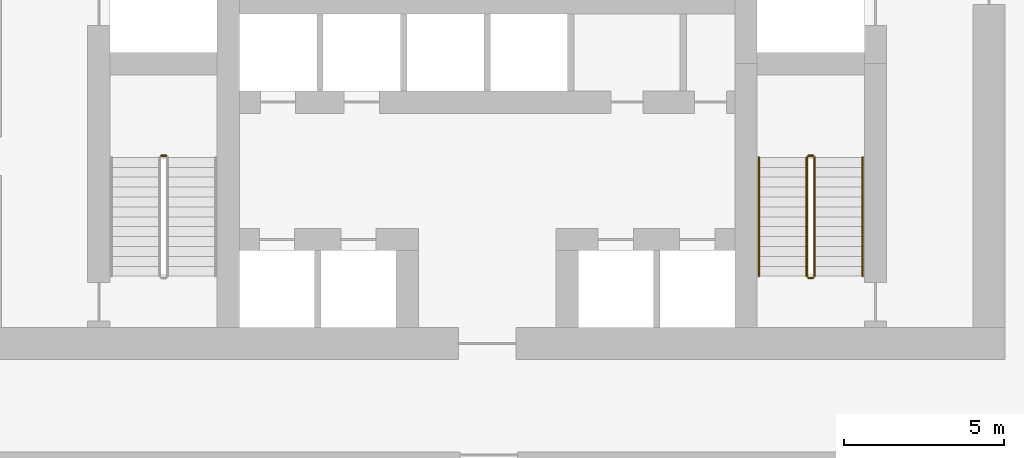
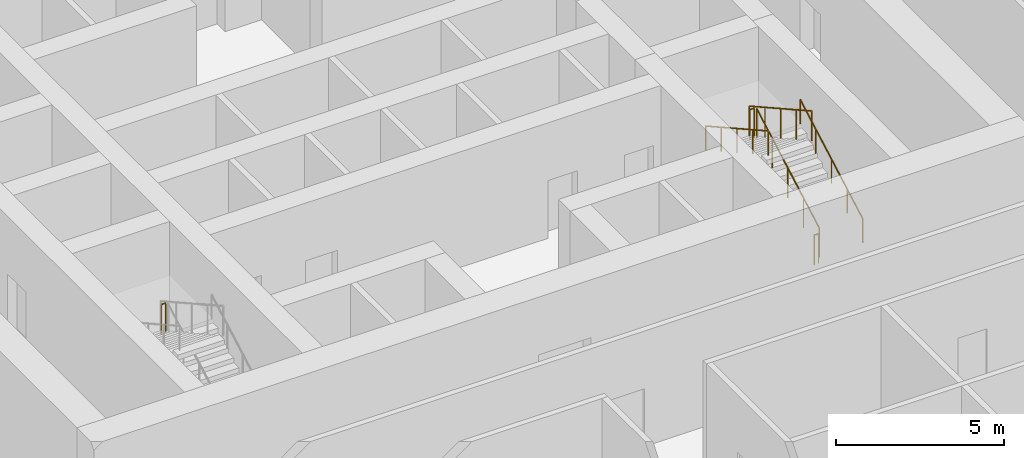
# One storey, part 39 of 43: 7 railings.
"""IFC4 building model written with IfcOpenShell, lengths in metres."""

from ifc_helpers import new_model, si_unit, direction, frame, origin, origin_2d, place, context, subcontext, project, spatial, circle, extrude, material, type_object, element, save


model = new_model("IFC4")

# Units and contexts
model_context = context("Model", 3, precision=1e-05, world=origin(), true_north=direction((0.0, 1.0)))
body_context = subcontext(model_context, "Body", "Model", "MODEL_VIEW")
ifc_project = project(units=[si_unit("LENGTHUNIT", "METRE"), si_unit("AREAUNIT", "SQUARE_METRE"), si_unit("VOLUMEUNIT", "CUBIC_METRE"), si_unit("PLANEANGLEUNIT", "RADIAN"), si_unit("MASSUNIT", "GRAM", prefix="KILO")], contexts=[model_context])

# Site, building, storey
site_placement = place(None, origin())
site = spatial("IfcSite", under=ifc_project, at=site_placement, CompositionType="ELEMENT")
building_placement = place(site_placement, origin())
building = spatial("IfcBuilding", under=site, at=building_placement, Name="Madar Terraces", CompositionType="ELEMENT")
storey_placement = place(building_placement, frame((0.0, 0.0, 10.5)))
storey = spatial("IfcBuildingStorey", under=building, at=storey_placement, Name="L02", CompositionType="ELEMENT", Elevation=10.5)

# Railings
ifc_material_1 = material(Name="Stainless steel railing", Category="steel")
railing_type_1 = type_object("IfcRailingType", Name="Stair guard 1100", PredefinedType="GUARDRAIL", material=ifc_material_1)
railing_1_placement = place(storey_placement, frame((21.14990234375, 21.3701171875, 2.25)))
element("IfcRailing", 1, at=railing_1_placement, inside=storey, type_object=railing_type_1, Name="L02 ST1 stair guard 2", PredefinedType="GUARDRAIL", context=body_context, shape_type="SweptSolid", body=[
    extrude(circle(Radius=0.02392578125, at=origin_2d()), frame((0.0, 0.0, 1.076171875), z_axis=(-1.0, 0.0, 0.0), x_axis=(0.0, -1.0, 0.0)), (0.0, 0.0, 1.0), 0.14990234375),
    extrude(circle(Radius=0.02099609375, at=origin_2d()), origin(), (0.0, 0.0, 1.0), 1.052001953125),
    extrude(circle(Radius=0.02099609375, at=origin_2d()), frame((-0.14990234375, 0.0, 0.0)), (0.0, 0.0, 1.0), 1.052001953125),
])
railing_2_placement = place(storey_placement, frame((41.449951171875, 17.60009765625, 0.173095703125)))
element("IfcRailing", 2, at=railing_2_placement, inside=storey, type_object=railing_type_1, Name="L02 ST3 stair guard 1", PredefinedType="GUARDRAIL", context=body_context, shape_type="SweptSolid", body=[
    extrude(circle(Radius=0.02392578125, at=origin_2d()), frame((0.0, 0.0, 1.076171875), z_axis=(0.0, 0.873133609054, 0.487480974747), x_axis=(-1.0, 0.0, 0.0)), (0.0, 0.0, 1.0), 4.260498046875),
    extrude(circle(Radius=0.02099609375, at=origin_2d()), origin(), (0.0, 0.0, 1.0), 1.052001953125),
    extrude(circle(Radius=0.02099609375, at=origin_2d()), frame((0.0, 0.929931640625, 0.519287109375)), (0.0, 0.0, 1.0), 1.052001953125),
    extrude(circle(Radius=0.02099609375, at=origin_2d()), frame((0.0, 1.85986328125, 1.03857421875)), (0.0, 0.0, 1.0), 1.052001953125),
    extrude(circle(Radius=0.02099609375, at=origin_2d()), frame((0.0, 2.7900390625, 1.5576171875)), (0.0, 0.0, 1.0), 1.052001953125),
    extrude(circle(Radius=0.02099609375, at=origin_2d()), frame((0.0, 3.719970703125, 2.076904296875)), (0.0, 0.0, 1.0), 1.052001953125),
])
railing_3_placement = place(storey_placement, frame((41.39990234375, 21.3701171875, 2.25)))
element("IfcRailing", 3, at=railing_3_placement, inside=storey, type_object=railing_type_1, Name="L02 ST3 stair guard 2", PredefinedType="GUARDRAIL", context=body_context, shape_type="SweptSolid", body=[
    extrude(circle(Radius=0.02392578125, at=origin_2d()), frame((0.0, 0.0, 1.076171875), z_axis=(-1.0, 0.0, 0.0), x_axis=(0.0, -1.0, 0.0)), (0.0, 0.0, 1.0), 0.14990234375),
    extrude(circle(Radius=0.02099609375, at=origin_2d()), origin(), (0.0, 0.0, 1.0), 1.052001953125),
    extrude(circle(Radius=0.02099609375, at=origin_2d()), frame((-0.14990234375, 0.0, 0.0)), (0.0, 0.0, 1.0), 1.052001953125),
])
railing_4_placement = place(storey_placement, frame((41.199951171875, 21.320068359375, 2.423095703125)))
element("IfcRailing", 4, at=railing_4_placement, inside=storey, type_object=railing_type_1, Name="L02 ST3 stair guard 3", PredefinedType="GUARDRAIL", context=body_context, shape_type="SweptSolid", body=[
    extrude(circle(Radius=0.02392578125, at=origin_2d()), frame((0.0, 0.0, 1.076171875), z_axis=(0.0, -0.873133609054, 0.487480974747), x_axis=(1.0, 0.0, 0.0)), (0.0, 0.0, 1.0), 4.260498046875),
    extrude(circle(Radius=0.02099609375, at=origin_2d()), origin(), (0.0, 0.0, 1.0), 1.052001953125),
    extrude(circle(Radius=0.02099609375, at=origin_2d()), frame((0.0, -0.929931640625, 0.519287109375)), (0.0, 0.0, 1.0), 1.052001953125),
    extrude(circle(Radius=0.02099609375, at=origin_2d()), frame((0.0, -1.85986328125, 1.03857421875)), (0.0, 0.0, 1.0), 1.052001953125),
    extrude(circle(Radius=0.02099609375, at=origin_2d()), frame((0.0, -2.7900390625, 1.5576171875)), (0.0, 0.0, 1.0), 1.052001953125),
    extrude(circle(Radius=0.02099609375, at=origin_2d()), frame((0.0, -3.719970703125, 2.076904296875)), (0.0, 0.0, 1.0), 1.052001953125),
])
railing_5_placement = place(storey_placement, frame((41.39990234375, 17.550048828125, 0.0)))
element("IfcRailing", 5, at=railing_5_placement, inside=storey, type_object=railing_type_1, Name="L02 ST3 stair guard 4", PredefinedType="GUARDRAIL", context=body_context, shape_type="SweptSolid", body=[
    extrude(circle(Radius=0.02392578125, at=origin_2d()), frame((0.0, 0.0, 1.076171875), z_axis=(-1.0, 0.0, 0.0), x_axis=(0.0, -1.0, 0.0)), (0.0, 0.0, 1.0), 0.14990234375),
    extrude(circle(Radius=0.02099609375, at=origin_2d()), origin(), (0.0, 0.0, 1.0), 1.052001953125),
    extrude(circle(Radius=0.02099609375, at=origin_2d()), frame((-0.14990234375, 0.0, 0.0)), (0.0, 0.0, 1.0), 1.052001953125),
])
ifc_material_2 = material(Name="Stainless steel railing", Category="steel")
railing_type_2 = type_object("IfcRailingType", Name="Stair handrail 900", PredefinedType="HANDRAIL", material=ifc_material_2)
railing_6_placement = place(storey_placement, frame((42.949951171875, 17.60009765625, 0.173095703125)))
element("IfcRailing", 6, at=railing_6_placement, inside=storey, type_object=railing_type_2, Name="L02 ST3 stair handrail 1", PredefinedType="HANDRAIL", context=body_context, shape_type="SweptSolid", body=[
    extrude(circle(Radius=0.02392578125, at=origin_2d()), frame((0.0, 0.0, 0.8759765625), z_axis=(0.0, 0.873133609054, 0.487480974747), x_axis=(-1.0, 0.0, 0.0)), (0.0, 0.0, 1.0), 4.260498046875),
    extrude(circle(Radius=0.02099609375, at=origin_2d()), origin(), (0.0, 0.0, 1.0), 0.851806640625),
    extrude(circle(Radius=0.02099609375, at=origin_2d()), frame((0.0, 0.929931640625, 0.519287109375)), (0.0, 0.0, 1.0), 0.851806640625),
    extrude(circle(Radius=0.02099609375, at=origin_2d()), frame((0.0, 1.85986328125, 1.03857421875)), (0.0, 0.0, 1.0), 0.851806640625),
    extrude(circle(Radius=0.02099609375, at=origin_2d()), frame((0.0, 2.7900390625, 1.5576171875)), (0.0, 0.0, 1.0), 0.851806640625),
    extrude(circle(Radius=0.02099609375, at=origin_2d()), frame((0.0, 3.719970703125, 2.076904296875)), (0.0, 0.0, 1.0), 0.851806640625),
])
railing_7_placement = place(storey_placement, frame((39.699951171875, 21.320068359375, 2.423095703125)))
element("IfcRailing", 7, at=railing_7_placement, inside=storey, type_object=railing_type_2, Name="L02 ST3 stair handrail 2", PredefinedType="HANDRAIL", context=body_context, shape_type="SweptSolid", body=[
    extrude(circle(Radius=0.02392578125, at=origin_2d()), frame((0.0, 0.0, 0.8759765625), z_axis=(0.0, -0.873133609054, 0.487480974747), x_axis=(1.0, 0.0, 0.0)), (0.0, 0.0, 1.0), 4.260498046875),
    extrude(circle(Radius=0.02099609375, at=origin_2d()), origin(), (0.0, 0.0, 1.0), 0.851806640625),
    extrude(circle(Radius=0.02099609375, at=origin_2d()), frame((0.0, -0.929931640625, 0.519287109375)), (0.0, 0.0, 1.0), 0.851806640625),
    extrude(circle(Radius=0.02099609375, at=origin_2d()), frame((0.0, -1.85986328125, 1.03857421875)), (0.0, 0.0, 1.0), 0.851806640625),
    extrude(circle(Radius=0.02099609375, at=origin_2d()), frame((0.0, -2.7900390625, 1.5576171875)), (0.0, 0.0, 1.0), 0.851806640625),
    extrude(circle(Radius=0.02099609375, at=origin_2d()), frame((0.0, -3.719970703125, 2.076904296875)), (0.0, 0.0, 1.0), 0.851806640625),
])

save(model, "model.ifc")
